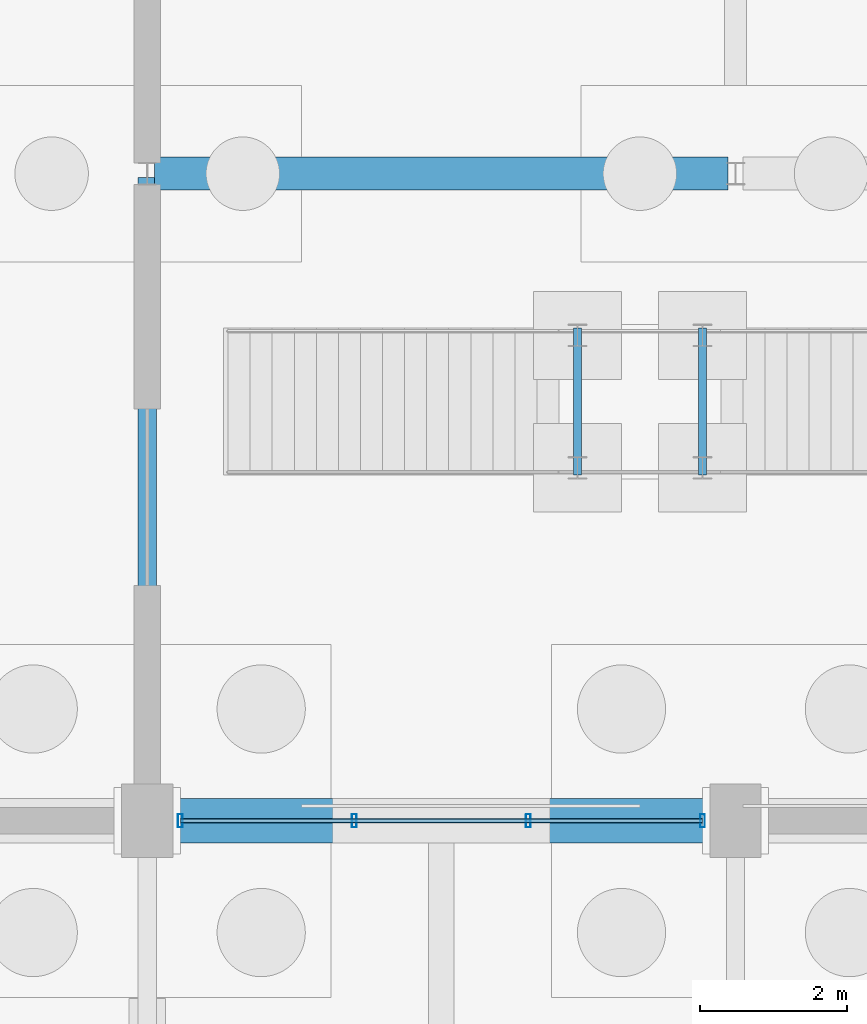
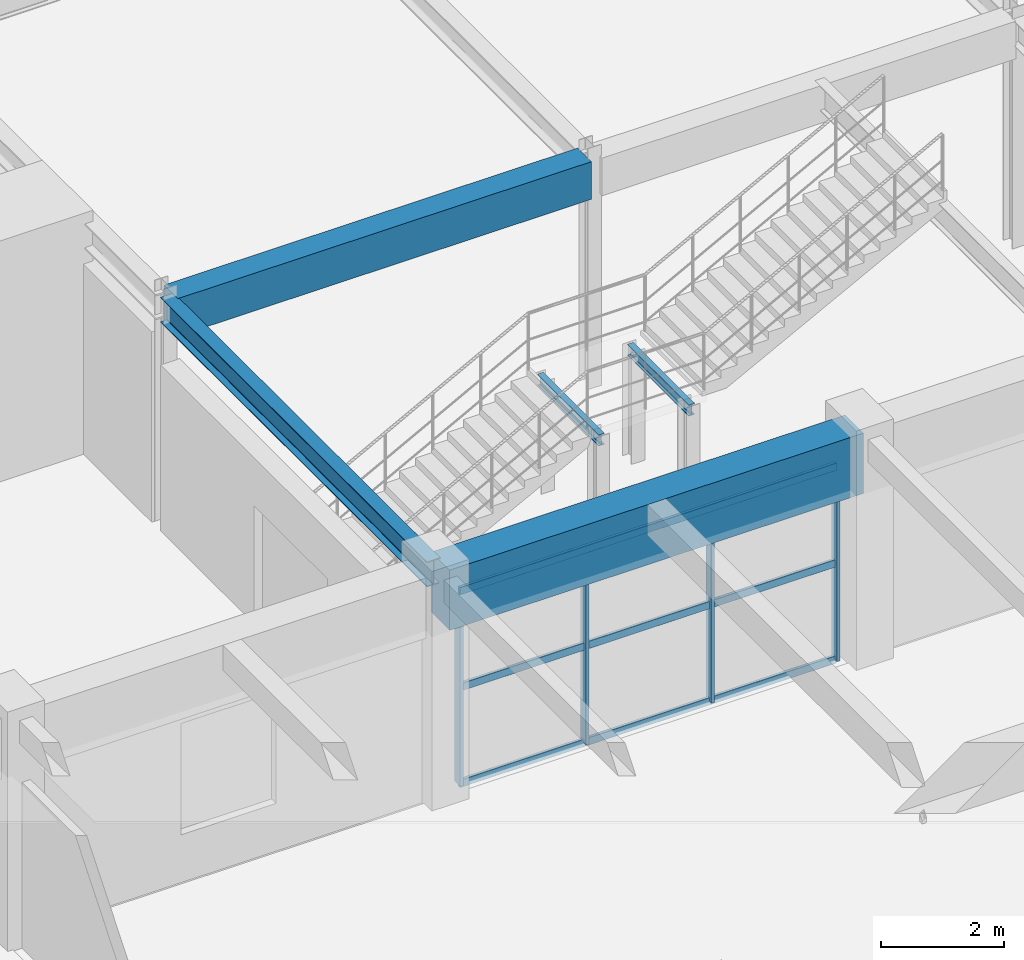
# One storey, part 31 of 147: 7 members, 5 beams, 1 element without a shape of its own.
"""IFC4 building model written with IfcOpenShell, lengths in metres."""

from ifc_helpers import new_model, si_unit, direction, frame, origin, origin_2d, place, context, subcontext, project, spatial, rectangle, hollow_rectangle, i_section, extrude, material, material_profile, profile_set, type_object, element, aggregate, save


model = new_model("IFC4")

# Units and contexts
model_context = context("Model", 3, precision=1e-05, world=origin(), true_north=direction((0.0, 1.0)))
body_context = subcontext(model_context, "Body", "Model", "MODEL_VIEW")
ifc_project = project(units=[si_unit("LENGTHUNIT", "METRE"), si_unit("AREAUNIT", "SQUARE_METRE"), si_unit("VOLUMEUNIT", "CUBIC_METRE"), si_unit("PLANEANGLEUNIT", "RADIAN"), si_unit("MASSUNIT", "GRAM", prefix="KILO")], contexts=[model_context])

# Site, building, storey
site_placement = place(None, origin())
site = spatial("IfcSite", under=ifc_project, at=site_placement, CompositionType="ELEMENT")
building_placement = place(site_placement, origin())
building = spatial("IfcBuilding", under=site, at=building_placement, Name="Varnabhumi Central Station", CompositionType="ELEMENT")
storey_placement = place(building_placement, origin())
storey = spatial("IfcBuildingStorey", under=building, at=storey_placement, Name="L00", CompositionType="ELEMENT", Elevation=0.0)

# Beams
ifc_material_1 = material(Name="Concrete M50", Category="concrete")
ifc_material_profile_1 = material_profile(ifc_material_1, rectangle(XDim=0.60009765625, YDim=1.199951171875, at=origin_2d()), Name="Concrete M50", Category="concrete")
ifc_profile_set_1 = profile_set([ifc_material_profile_1], Name="Concrete M50")
beam_type_1 = type_object("IfcBeamType", Name="BM-RC-1200x600", PredefinedType="BEAM", material=ifc_profile_set_1)
beam_1_placement = place(storey_placement, frame((24.10009765625, 36.0, 3.949951171875), z_axis=(1.0, 0.0, 0.0), x_axis=(0.0, 1.0, 0.0)))
element("IfcBeam", 1, at=beam_1_placement, inside=storey, type_object=beam_type_1, Name="Beam L00-E:4-5", PredefinedType="BEAM", context=body_context, shape_type="SweptSolid", body=[
    extrude(rectangle(XDim=0.60009765625, YDim=1.199951171875, at=origin_2d()), origin(), (0.0, 0.0, 1.0), 7.7998046875),
])
ifc_material_2 = material(Name="Concrete M40", Category="concrete")
ifc_material_profile_2 = material_profile(ifc_material_2, rectangle(XDim=0.449951171875, YDim=0.75, at=origin_2d()), Name="Concrete M40", Category="concrete")
ifc_profile_set_2 = profile_set([ifc_material_profile_2], Name="Concrete M40")
beam_type_2 = type_object("IfcBeamType", Name="BM-RC-450x750", PredefinedType="BEAM", material=ifc_profile_set_2)
beam_2_placement = place(storey_placement, frame((24.10009765625, 44.800048828125, 4.205078125), z_axis=(1.0, 0.0, 0.0), x_axis=(0.0, 1.0, 0.0)))
element("IfcBeam", 2, at=beam_2_placement, inside=storey, type_object=beam_type_2, Name="Beam L00-F:4-5", PredefinedType="BEAM", context=body_context, shape_type="SweptSolid", body=[
    extrude(rectangle(XDim=0.449951171875, YDim=0.75, at=origin_2d()), origin(), (0.0, 0.0, 1.0), 7.7998046875),
])
ifc_material_3 = material(Name="Structural steel E350", Category="steel")
ifc_material_profile_3 = material_profile(ifc_material_3, i_section(OverallWidth=0.25, OverallDepth=0.5, WebThickness=0.010009765625, FlangeThickness=0.0146484375, FilletRadius=0.014892578125, at=origin_2d()), Name="Structural steel E350", Category="steel")
ifc_profile_set_3 = profile_set([ifc_material_profile_3], Name="Structural steel E350")
beam_type_3 = type_object("IfcBeamType", Name="BM-SEC-ISWB500", PredefinedType="BEAM", material=ifc_profile_set_3)
beam_3_placement = place(storey_placement, frame((24.0, 36.050048828125, 4.330078125), z_axis=(0.0, 1.0, 0.0), x_axis=(-1.0, 0.0, 0.0)))
element("IfcBeam", 3, at=beam_3_placement, inside=storey, type_object=beam_type_3, Name="Gallery Girder 4:36-44", PredefinedType="BEAM", context=body_context, shape_type="SweptSolid", body=[
    extrude(i_section(OverallWidth=0.25, OverallDepth=0.5, WebThickness=0.010009765625, FlangeThickness=0.0146484375, FilletRadius=0.014892578125, at=origin_2d()), origin(), (0.0, 0.0, 1.0), 8.699951171875),
])
ifc_material_profile_4 = material_profile(ifc_material_3, i_section(OverallWidth=0.110107421875, OverallDepth=0.22509765625, WebThickness=0.006591796875, FlangeThickness=0.01171875, FilletRadius=0.011962890625, at=origin_2d()), Name="Structural steel E350", Category="steel")
ifc_profile_set_4 = profile_set([ifc_material_profile_4], Name="Structural steel E350")
beam_type_4 = type_object("IfcBeamType", Name="BM-STL-ISMB225", PredefinedType="JOIST", material=ifc_profile_set_4)
for number, where, z_axis, x_axis, name in (
    (4, (29.85009765625, 40.699951171875, 2.107421875), (0.0, 1.0, 0.0), (-1.0, 0.0, 0.0), "Mezzanine Stair Landing Beam 1"),
    (5, (31.550048828125, 40.699951171875, 2.107421875), (0.0, 1.0, 0.0), (-1.0, 0.0, 0.0), "Mezzanine Stair Landing Beam 2"),
):
    element("IfcBeam", number, at=place(storey_placement, frame(where, z_axis=z_axis, x_axis=x_axis)), inside=storey, type_object=beam_type_4, Name=name, PredefinedType="JOIST", context=body_context, shape_type="SweptSolid", body=[
        extrude(i_section(OverallWidth=0.110107421875, OverallDepth=0.22509765625, WebThickness=0.006591796875, FlangeThickness=0.01171875, FilletRadius=0.011962890625, at=origin_2d()), origin(), (0.0, 0.0, 1.0), 2.0),
    ])

# Curtain wall, members
ifc_material_4 = material(Name="Anodised aluminium 6063-T6", Category="aluminium")
curtain_wall_type = type_object("IfcCurtainWallType", Name="CW-SPINE-SCREEN-L0", PredefinedType="NOTDEFINED", material=ifc_material_4)
curtain_wall_placement = place(storey_placement, origin())
curtain_wall = element("IfcCurtainWall", 6, at=curtain_wall_placement, inside=storey, type_object=curtain_wall_type, Name="Curtain Wall CW-SS003", PredefinedType="NOTDEFINED")
ifc_material_profile_5 = material_profile(ifc_material_4, hollow_rectangle(XDim=0.06494140625, YDim=0.179931640625, WallThickness=0.00390625, InnerFilletRadius=0.001953125, OuterFilletRadius=0.006103515625, at=origin_2d()), Name="Anodised aluminium 6063-T6", Category="aluminium")
ifc_profile_set_5 = profile_set([ifc_material_profile_5], Name="Anodised aluminium 6063-T6")
member_type_1 = type_object("IfcMemberType", Name="CW-MUL-180", PredefinedType="MULLION", material=ifc_profile_set_5)
member_1_placement = place(storey_placement, frame((24.449951171875, 36.0, 0.0), z_axis=(0.0, 0.0, 1.0), x_axis=(1.0, 0.0, 0.0)))
member_1 = element("IfcMember", 7, at=member_1_placement, type_object=member_type_1, Name="Curtain Wall Mullion CW-SS003-M1", PredefinedType="MULLION", context=body_context, shape_type="SweptSolid", body=[
    extrude(hollow_rectangle(XDim=0.06494140625, YDim=0.179931640625, WallThickness=0.00390625, InnerFilletRadius=0.001953125, OuterFilletRadius=0.006103515625, at=origin_2d()), origin(), (0.0, 0.0, 1.0), 3.840087890625),
])
member_2_placement = place(storey_placement, frame((26.816650390625, 36.0, 0.0), z_axis=(0.0, 0.0, 1.0), x_axis=(1.0, 0.0, 0.0)))
member_2 = element("IfcMember", 8, at=member_2_placement, type_object=member_type_1, Name="Curtain Wall Mullion CW-SS003-M2", PredefinedType="MULLION", context=body_context, shape_type="SweptSolid", body=[
    extrude(hollow_rectangle(XDim=0.06494140625, YDim=0.179931640625, WallThickness=0.00390625, InnerFilletRadius=0.001953125, OuterFilletRadius=0.006103515625, at=origin_2d()), origin(), (0.0, 0.0, 1.0), 3.840087890625),
])
member_3_placement = place(storey_placement, frame((29.183349609375, 36.0, 0.0), z_axis=(0.0, 0.0, 1.0), x_axis=(1.0, 0.0, 0.0)))
member_3 = element("IfcMember", 9, at=member_3_placement, type_object=member_type_1, Name="Curtain Wall Mullion CW-SS003-M3", PredefinedType="MULLION", context=body_context, shape_type="SweptSolid", body=[
    extrude(hollow_rectangle(XDim=0.06494140625, YDim=0.179931640625, WallThickness=0.00390625, InnerFilletRadius=0.001953125, OuterFilletRadius=0.006103515625, at=origin_2d()), origin(), (0.0, 0.0, 1.0), 3.840087890625),
])
member_4_placement = place(storey_placement, frame((31.550048828125, 36.0, 0.0), z_axis=(0.0, 0.0, 1.0), x_axis=(1.0, 0.0, 0.0)))
member_4 = element("IfcMember", 10, at=member_4_placement, type_object=member_type_1, Name="Curtain Wall Mullion CW-SS003-M4", PredefinedType="MULLION", context=body_context, shape_type="SweptSolid", body=[
    extrude(hollow_rectangle(XDim=0.06494140625, YDim=0.179931640625, WallThickness=0.00390625, InnerFilletRadius=0.001953125, OuterFilletRadius=0.006103515625, at=origin_2d()), origin(), (0.0, 0.0, 1.0), 3.840087890625),
])
ifc_material_profile_6 = material_profile(ifc_material_4, hollow_rectangle(XDim=0.06005859375, YDim=0.14990234375, WallThickness=0.00390625, InnerFilletRadius=0.001953125, OuterFilletRadius=0.006103515625, at=origin_2d()), Name="Anodised aluminium 6063-T6", Category="aluminium")
ifc_profile_set_6 = profile_set([ifc_material_profile_6], Name="Anodised aluminium 6063-T6")
member_type_2 = type_object("IfcMemberType", Name="CW-TR-150", PredefinedType="USERDEFINED", material=ifc_profile_set_6)
member_5_placement = place(storey_placement, frame((24.449951171875, 36.0, 0.0), z_axis=(1.0, 0.0, 0.0), x_axis=(0.0, 1.0, 0.0)))
member_5 = element("IfcMember", 11, at=member_5_placement, type_object=member_type_2, Name="Curtain Wall Transom CW-SS003-T1", ObjectType="TRANSOM", PredefinedType="USERDEFINED", context=body_context, shape_type="SweptSolid", body=[
    extrude(hollow_rectangle(XDim=0.06005859375, YDim=0.14990234375, WallThickness=0.00390625, InnerFilletRadius=0.001953125, OuterFilletRadius=0.006103515625, at=origin_2d()), origin(), (0.0, 0.0, 1.0), 7.10009765625),
])
member_6_placement = place(storey_placement, frame((24.449951171875, 36.0, 1.919921875), z_axis=(1.0, 0.0, 0.0), x_axis=(0.0, 1.0, 0.0)))
member_6 = element("IfcMember", 12, at=member_6_placement, type_object=member_type_2, Name="Curtain Wall Transom CW-SS003-T2", ObjectType="TRANSOM", PredefinedType="USERDEFINED", context=body_context, shape_type="SweptSolid", body=[
    extrude(hollow_rectangle(XDim=0.06005859375, YDim=0.14990234375, WallThickness=0.00390625, InnerFilletRadius=0.001953125, OuterFilletRadius=0.006103515625, at=origin_2d()), origin(), (0.0, 0.0, 1.0), 7.10009765625),
])
member_7_placement = place(storey_placement, frame((24.449951171875, 36.0, 3.840087890625), z_axis=(1.0, 0.0, 0.0), x_axis=(0.0, 1.0, 0.0)))
member_7 = element("IfcMember", 13, at=member_7_placement, type_object=member_type_2, Name="Curtain Wall Transom CW-SS003-T3", ObjectType="TRANSOM", PredefinedType="USERDEFINED", context=body_context, shape_type="SweptSolid", body=[
    extrude(hollow_rectangle(XDim=0.06005859375, YDim=0.14990234375, WallThickness=0.00390625, InnerFilletRadius=0.001953125, OuterFilletRadius=0.006103515625, at=origin_2d()), origin(), (0.0, 0.0, 1.0), 7.10009765625),
])
aggregate(curtain_wall, [member_1, member_2, member_3, member_4, member_5, member_6, member_7])

save(model, "model.ifc")
